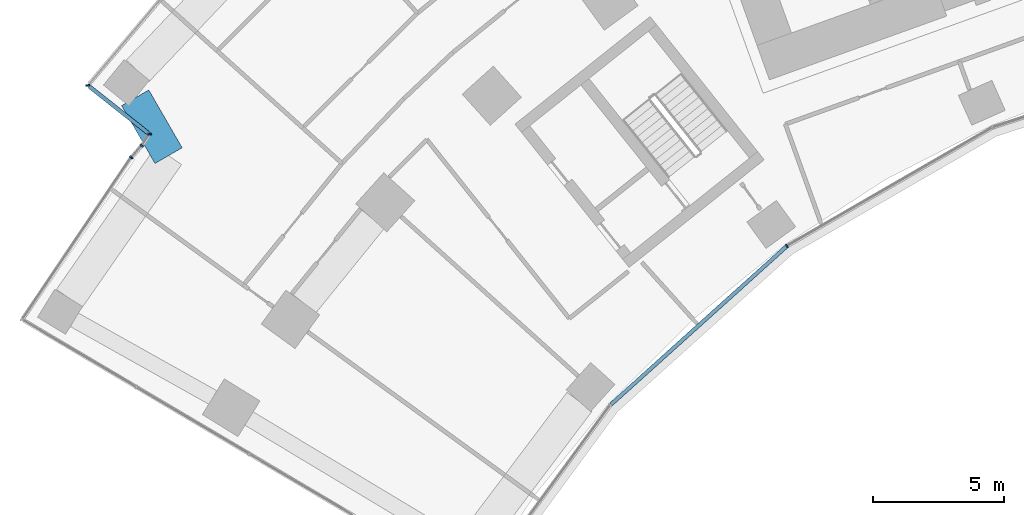
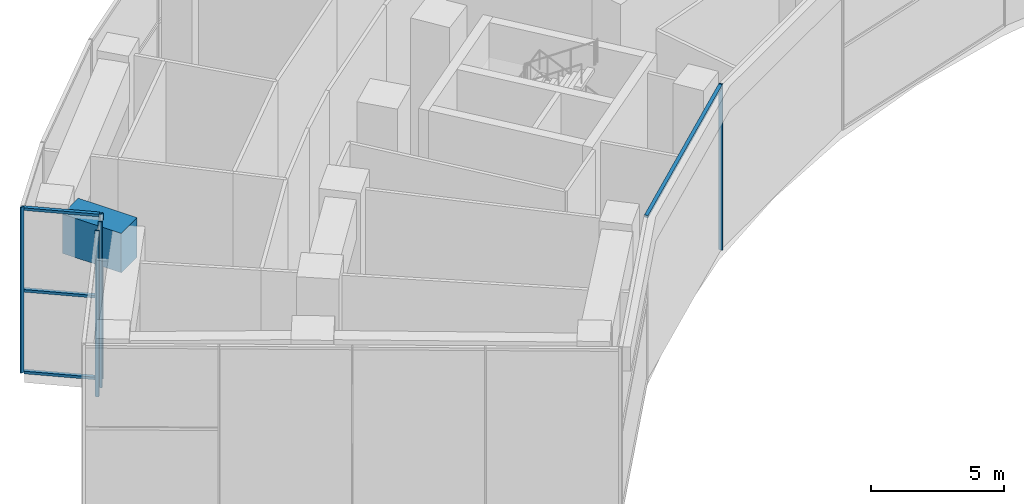
# One storey, part 3 of 33: 9 members, 1 beam, 5 elements without a shape of their own.
"""IFC4 building model written with IfcOpenShell, lengths in metres."""

from ifc_helpers import new_model, si_unit, direction, frame, origin, origin_2d, place, context, subcontext, project, spatial, rectangle, extrude, material, layer, layer_set, material_profile, profile_set, type_object, element, aggregate, save


model = new_model("IFC4")

# Units and contexts
model_context = context("Model", 3, precision=1e-05, world=origin(), true_north=direction((0.0, 1.0)))
body_context = subcontext(model_context, "Body", "Model", "MODEL_VIEW")
ifc_project = project(units=[si_unit("LENGTHUNIT", "METRE"), si_unit("AREAUNIT", "SQUARE_METRE"), si_unit("VOLUMEUNIT", "CUBIC_METRE"), si_unit("PLANEANGLEUNIT", "RADIAN"), si_unit("MASSUNIT", "GRAM", prefix="KILO")], contexts=[model_context])

# Site, building, storey
site_placement = place(None, origin())
site = spatial("IfcSite", under=ifc_project, at=site_placement, CompositionType="ELEMENT")
building_placement = place(site_placement, origin())
building = spatial("IfcBuilding", under=site, at=building_placement, Name="Stone Belt Terrace Tower", CompositionType="ELEMENT")
storey_placement = place(building_placement, frame((0.0, 0.0, 79.39990234375)))
storey = spatial("IfcBuildingStorey", under=building, at=storey_placement, Name="L19", CompositionType="ELEMENT", Elevation=79.39990234375)

# Curtain wall, members
ifc_material_1 = material(Name="Aluminium 6063-T6 anodised frame", Category="aluminium")
ifc_layer_1 = layer(ifc_material_1, 0.14990234375)
ifc_layer_set_1 = layer_set([ifc_layer_1], Name="CW-B unitised concave-face curtain wall")
curtain_wall_type_1 = type_object("IfcCurtainWallType", Name="CW-B unitised concave-face curtain wall", PredefinedType="NOTDEFINED", material=ifc_layer_set_1)
curtain_wall_1_placement = place(storey_placement, origin())
curtain_wall_1 = element("IfcCurtainWall", 1, at=curtain_wall_1_placement, inside=storey, type_object=curtain_wall_type_1, Name="CW-B concave face L19", PredefinedType="NOTDEFINED")
ifc_material_profile_1 = material_profile(ifc_material_1, rectangle(XDim=0.14990234375, YDim=0.050048828125, at=origin_2d()), Name="Aluminium 6063-T6 50x150")
ifc_profile_set_1 = profile_set([ifc_material_profile_1], Name="Aluminium 6063-T6 anodised frame")
member_type_1 = type_object("IfcMemberType", Name="CW-B mullion 50 x 150", PredefinedType="MULLION", material=ifc_profile_set_1)
member_1_placement = place(storey_placement, frame((-25.5244140625, 35.13134765625, 0.0), z_axis=(0.0, 0.0, 1.0), x_axis=(-0.587785252292, 0.809016994375, 0.0)))
member_1 = element("IfcMember", 2, at=member_1_placement, type_object=member_type_1, Name="CW-B mullion 3", PredefinedType="MULLION", context=body_context, shape_type="SweptSolid", body=[
    extrude(rectangle(XDim=0.14990234375, YDim=0.050048828125, at=origin_2d()), origin(), (0.0, 0.0, 1.0), 7.60009765625),
])
ifc_material_profile_2 = material_profile(ifc_material_1, rectangle(XDim=0.14990234375, YDim=0.1201171875, at=origin_2d()), Name="Aluminium 6063-T6 150x120")
ifc_profile_set_2 = profile_set([ifc_material_profile_2], Name="Aluminium 6063-T6 anodised frame")
member_type_2 = type_object("IfcMemberType", Name="CW-B transom 120 x 150", PredefinedType="USERDEFINED", material=ifc_profile_set_2)
member_2_placement = place(storey_placement, frame((-32.246826171875, 29.078369140625, 7.5400390625), z_axis=(0.74315136283, 0.669123345822, 0.0), x_axis=(-0.669123345822, 0.74315136283, 0.0)))
member_2 = element("IfcMember", 3, at=member_2_placement, type_object=member_type_2, Name="CW-B transom 2.1", ObjectType="TRANSOM", PredefinedType="USERDEFINED", context=body_context, shape_type="SweptSolid", body=[
    extrude(rectangle(XDim=0.14990234375, YDim=0.1201171875, at=origin_2d()), origin(), (0.0, 0.0, 1.0), 9.01318359375),
])
aggregate(curtain_wall_1, [member_1, member_2])

# Curtain wall, member
ifc_layer_2 = layer(ifc_material_1, 0.14990234375)
ifc_layer_set_2 = layer_set([ifc_layer_2], Name="CW-C stick curtain wall, horn ends and notches")
curtain_wall_type_2 = type_object("IfcCurtainWallType", Name="CW-C stick curtain wall, horn ends and notches", PredefinedType="NOTDEFINED", material=ifc_layer_set_2)
curtain_wall_2_placement = place(storey_placement, origin())
curtain_wall_2 = element("IfcCurtainWall", 4, at=curtain_wall_2_placement, inside=storey, type_object=curtain_wall_type_2, Name="CW-C notch face L19", PredefinedType="NOTDEFINED")
ifc_material_profile_3 = material_profile(ifc_material_1, rectangle(XDim=0.14990234375, YDim=0.06005859375, at=origin_2d()), Name="Aluminium 6063-T6 60x150")
ifc_profile_set_3 = profile_set([ifc_material_profile_3], Name="Aluminium 6063-T6 anodised frame")
member_type_3 = type_object("IfcMemberType", Name="CW-C mullion 60 x 150", PredefinedType="MULLION", material=ifc_profile_set_3)
member_3_placement = place(storey_placement, frame((-52.24072265625, 41.27294921875, 0.0), z_axis=(0.0, 0.0, 1.0), x_axis=(0.995023084308, 0.099644677203, 0.0)))
member_3 = element("IfcMember", 5, at=member_3_placement, type_object=member_type_3, Name="CW-C mullion 1", PredefinedType="MULLION", context=body_context, shape_type="SweptSolid", body=[
    extrude(rectangle(XDim=0.14990234375, YDim=0.06005859375, at=origin_2d()), origin(), (0.0, 0.0, 1.0), 7.60009765625),
])

curtain_wall_3_placement = place(storey_placement, origin())
curtain_wall_3 = element("IfcCurtainWall", 6, at=curtain_wall_3_placement, inside=storey, type_object=curtain_wall_type_2, Name="CW-C end face L19", PredefinedType="NOTDEFINED")
member_4_placement = place(storey_placement, frame((-49.88330078125, 39.406005859375, 0.0), z_axis=(0.0, 0.0, 1.0), x_axis=(0.988851375203, 0.14890586879, 0.0)))
member_4 = element("IfcMember", 7, at=member_4_placement, type_object=member_type_3, Name="CW-C mullion 1", PredefinedType="MULLION", context=body_context, shape_type="SweptSolid", body=[
    extrude(rectangle(XDim=0.14990234375, YDim=0.06005859375, at=origin_2d()), origin(), (0.0, 0.0, 1.0), 7.60009765625),
])
aggregate(curtain_wall_3, [member_4])

curtain_wall_4_placement = place(storey_placement, origin())
curtain_wall_4 = element("IfcCurtainWall", 8, at=curtain_wall_4_placement, inside=storey, type_object=curtain_wall_type_2, Name="CW-C end face L19", PredefinedType="NOTDEFINED")
member_5_placement = place(storey_placement, frame((-50.182861328125, 38.969970703125, 0.0), z_axis=(0.0, 0.0, 1.0), x_axis=(0.789818269775, -0.613340933518, 0.0)))
member_5 = element("IfcMember", 9, at=member_5_placement, type_object=member_type_3, Name="CW-C mullion 1", PredefinedType="MULLION", context=body_context, shape_type="SweptSolid", body=[
    extrude(rectangle(XDim=0.14990234375, YDim=0.06005859375, at=origin_2d()), origin(), (0.0, 0.0, 1.0), 7.60009765625),
])
aggregate(curtain_wall_4, [member_5])

curtain_wall_5_placement = place(storey_placement, origin())
curtain_wall_5 = element("IfcCurtainWall", 10, at=curtain_wall_5_placement, inside=storey, type_object=curtain_wall_type_2, Name="CW-C notch face L19", PredefinedType="NOTDEFINED")
member_6_placement = place(storey_placement, frame((-50.580322265625, 38.515380859375, 0.0), z_axis=(0.0, 0.0, 1.0), x_axis=(0.792718863957, -0.609587403681, 0.0)))
member_6 = element("IfcMember", 11, at=member_6_placement, type_object=member_type_3, Name="CW-C mullion 1", PredefinedType="MULLION", context=body_context, shape_type="SweptSolid", body=[
    extrude(rectangle(XDim=0.14990234375, YDim=0.06005859375, at=origin_2d()), origin(), (0.0, 0.0, 1.0), 7.60009765625),
])
aggregate(curtain_wall_5, [member_6])

# Member
ifc_material_profile_4 = material_profile(ifc_material_1, rectangle(XDim=0.14990234375, YDim=0.1201171875, at=origin_2d()), Name="Aluminium 6063-T6 150x120")
ifc_profile_set_4 = profile_set([ifc_material_profile_4], Name="Aluminium 6063-T6 anodised frame")
member_type_4 = type_object("IfcMemberType", Name="CW-C transom 120 x 150", PredefinedType="USERDEFINED", material=ifc_profile_set_4)
member_7_placement = place(storey_placement, frame((-52.18212890625, 41.2265625, 0.06005859375), z_axis=(0.783966177893, -0.620803537297, 0.0), x_axis=(0.620803537297, 0.783966177893, 0.0)))
member_7 = element("IfcMember", 12, at=member_7_placement, type_object=member_type_4, Name="CW-C transom 1.1", ObjectType="TRANSOM", PredefinedType="USERDEFINED", context=body_context, shape_type="SweptSolid", body=[
    extrude(rectangle(XDim=0.14990234375, YDim=0.1201171875, at=origin_2d()), origin(), (0.0, 0.0, 1.0), 2.859375),
])

member_8_placement = place(storey_placement, frame((-52.18212890625, 41.2265625, 3.800048828125), z_axis=(0.783966177893, -0.620803537297, 0.0), x_axis=(0.620803537297, 0.783966177893, 0.0)))
member_8 = element("IfcMember", 13, at=member_8_placement, type_object=member_type_4, Name="CW-C transom 1.2", ObjectType="TRANSOM", PredefinedType="USERDEFINED", context=body_context, shape_type="SweptSolid", body=[
    extrude(rectangle(XDim=0.14990234375, YDim=0.1201171875, at=origin_2d()), origin(), (0.0, 0.0, 1.0), 2.859375),
])

member_9_placement = place(storey_placement, frame((-52.18212890625, 41.2265625, 7.5400390625), z_axis=(0.783966177893, -0.620803537297, 0.0), x_axis=(0.620803537297, 0.783966177893, 0.0)))
member_9 = element("IfcMember", 14, at=member_9_placement, type_object=member_type_4, Name="CW-C transom 1.3", ObjectType="TRANSOM", PredefinedType="USERDEFINED", context=body_context, shape_type="SweptSolid", body=[
    extrude(rectangle(XDim=0.14990234375, YDim=0.1201171875, at=origin_2d()), origin(), (0.0, 0.0, 1.0), 2.859375),
])

aggregate(curtain_wall_2, [member_3, member_7, member_8, member_9])

# Beam
ifc_material_2 = material(Name="Concrete B80", Category="concrete")
ifc_material_profile_5 = material_profile(ifc_material_2, rectangle(XDim=1.199951171875, YDim=1.800048828125, at=origin_2d()), Name="RC 1200x1800")
ifc_profile_set_5 = profile_set([ifc_material_profile_5], Name="Concrete B80")
beam_type = type_object("IfcBeamType", Name="Transfer girder RC 1200x1800 B80", PredefinedType="BEAM", material=ifc_profile_set_5)
beam_placement = place(storey_placement, frame((-49.153564453125, 38.584716796875, 6.380126953125), z_axis=(-0.500285567834, 0.86586046833, 0.0), x_axis=(-0.86586046833, -0.500285567834, 0.0)))
element("IfcBeam", 15, at=beam_placement, inside=storey, type_object=beam_type, Name="Transfer beam L19 RRA-RNA", PredefinedType="BEAM", context=body_context, shape_type="SweptSolid", body=[
    extrude(rectangle(XDim=1.199951171875, YDim=1.800048828125, at=origin_2d()), origin(), (0.0, 0.0, 1.0), 2.5517578125),
])

save(model, "model.ifc")
